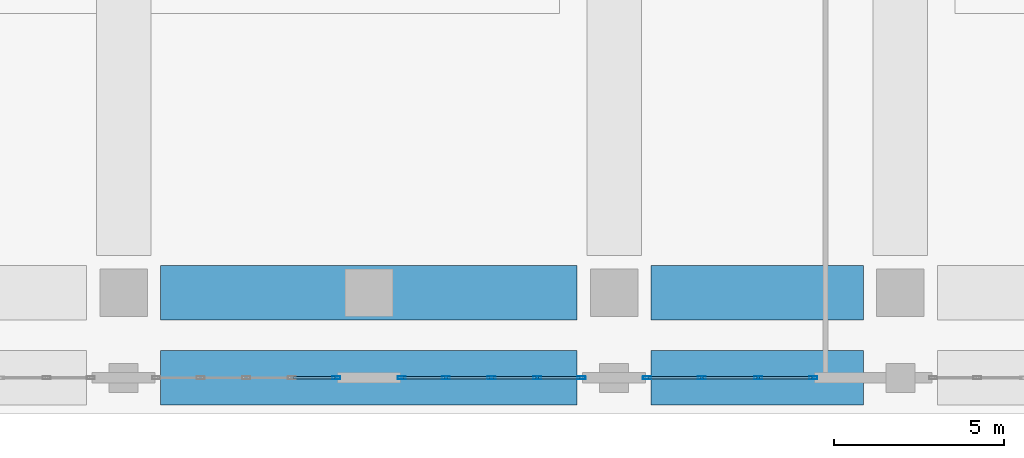
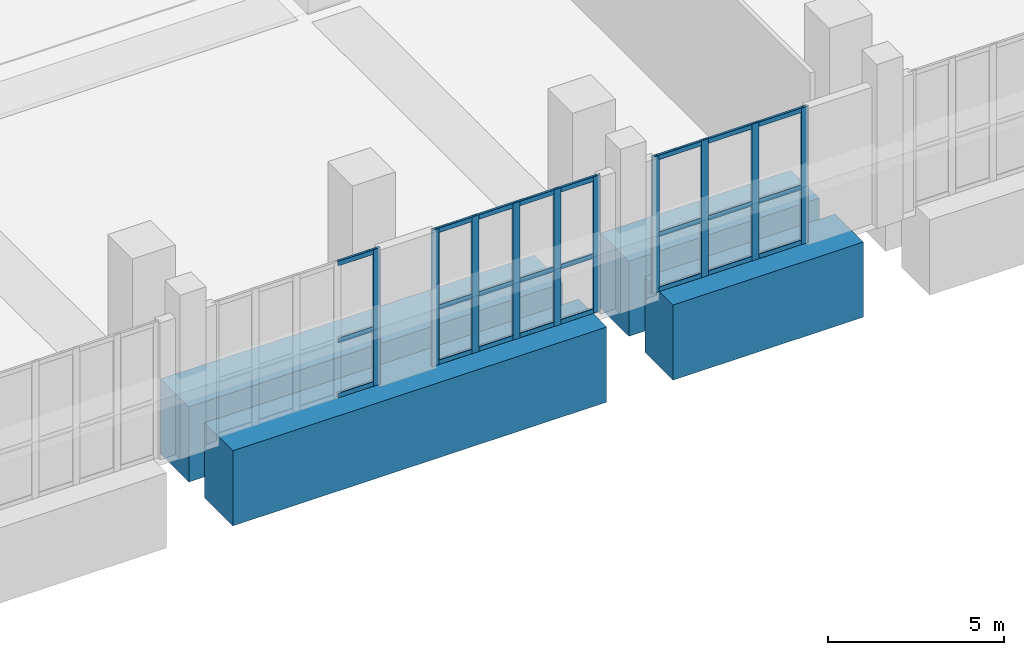
# One storey, part 7 of 25: 34 members, 4 beams, 3 elements without a shape of their own.
"""IFC4 building model written with IfcOpenShell, lengths in metres."""

from ifc_helpers import new_model, si_unit, direction, frame, origin, origin_2d, place, context, subcontext, project, spatial, rectangle, hollow_rectangle, extrude, material, layer, layer_set, material_profile, profile_set, type_object, element, aggregate, save


model = new_model("IFC4")

# Units and contexts
model_context = context("Model", 3, precision=1e-05, world=origin(), true_north=direction((0.0, 1.0)))
body_context = subcontext(model_context, "Body", "Model", "MODEL_VIEW")
ifc_project = project(units=[si_unit("LENGTHUNIT", "METRE"), si_unit("AREAUNIT", "SQUARE_METRE"), si_unit("VOLUMEUNIT", "CUBIC_METRE"), si_unit("PLANEANGLEUNIT", "RADIAN"), si_unit("MASSUNIT", "GRAM", prefix="KILO")], contexts=[model_context])

# Site, building, storey
site_placement = place(None, origin())
site = spatial("IfcSite", under=ifc_project, at=site_placement, CompositionType="ELEMENT")
building_placement = place(site_placement, origin())
building = spatial("IfcBuilding", under=site, at=building_placement, Name="Kaelvorn Grand Hotel", CompositionType="ELEMENT")
storey_placement = place(building_placement, frame((0.0, 0.0, 8.0)))
storey = spatial("IfcBuildingStorey", under=building, at=storey_placement, Name="L01", CompositionType="ELEMENT", Elevation=8.0)

# Beams
ifc_material_1 = material(Name="Concrete C80/95", Category="concrete")
ifc_material_profile_1 = material_profile(ifc_material_1, rectangle(XDim=1.60009765625, YDim=2.60009765625, at=origin_2d()), Name="RC TG 1600x2600")
ifc_profile_set_1 = profile_set([ifc_material_profile_1], Name="Concrete C80/95")
beam_type = type_object("IfcBeamType", Name="BM-TG-1600x2600-C80", PredefinedType="USERDEFINED", material=ifc_profile_set_1)
beam_1_placement = place(storey_placement, frame((24.485107421875, -2.5, -1.300048828125), z_axis=(1.0, 0.0, 0.0), x_axis=(0.0, 1.0, 0.0)))
element("IfcBeam", 1, at=beam_1_placement, inside=storey, type_object=beam_type, Name="L01 Pilotis Transfer Girder TGX-S2 02", ObjectType="TRANSFER GIRDER", PredefinedType="USERDEFINED", context=body_context, shape_type="SweptSolid", body=[
    extrude(rectangle(XDim=1.60009765625, YDim=2.60009765625, at=origin_2d()), origin(), (0.0, 0.0, 1.0), 12.22998046875),
])
beam_2_placement = place(storey_placement, frame((38.885009765625, -2.5, -1.300048828125), z_axis=(1.0, 0.0, 0.0), x_axis=(0.0, 1.0, 0.0)))
element("IfcBeam", 2, at=beam_2_placement, inside=storey, type_object=beam_type, Name="L01 Pilotis Transfer Girder TGX-S2 03", ObjectType="TRANSFER GIRDER", PredefinedType="USERDEFINED", context=body_context, shape_type="SweptSolid", body=[
    extrude(rectangle(XDim=1.60009765625, YDim=2.60009765625, at=origin_2d()), origin(), (0.0, 0.0, 1.0), 6.22998046875),
])
beam_3_placement = place(storey_placement, frame((24.485107421875, 0.0, -1.300048828125), z_axis=(1.0, 0.0, 0.0), x_axis=(0.0, 1.0, 0.0)))
element("IfcBeam", 3, at=beam_3_placement, inside=storey, type_object=beam_type, Name="L01 Pilotis Transfer Girder TGX-S0 03", ObjectType="TRANSFER GIRDER", PredefinedType="USERDEFINED", context=body_context, shape_type="SweptSolid", body=[
    extrude(rectangle(XDim=1.60009765625, YDim=2.60009765625, at=origin_2d()), origin(), (0.0, 0.0, 1.0), 12.22998046875),
])
beam_4_placement = place(storey_placement, frame((38.885009765625, 0.0, -1.300048828125), z_axis=(1.0, 0.0, 0.0), x_axis=(0.0, 1.0, 0.0)))
element("IfcBeam", 4, at=beam_4_placement, inside=storey, type_object=beam_type, Name="L01 Pilotis Transfer Girder TGX-S0 04", ObjectType="TRANSFER GIRDER", PredefinedType="USERDEFINED", context=body_context, shape_type="SweptSolid", body=[
    extrude(rectangle(XDim=1.60009765625, YDim=2.60009765625, at=origin_2d()), origin(), (0.0, 0.0, 1.0), 6.22998046875),
])

# Curtain wall, member
ifc_material_2 = material(Name="Anodised Aluminium", Category="aluminium")
ifc_layer = layer(ifc_material_2, 0.239990234375)
ifc_layer_set = layer_set([ifc_layer], Name="Anodised Aluminium")
curtain_wall_type = type_object("IfcCurtainWallType", Name="CW-SYS1", PredefinedType="NOTDEFINED", material=ifc_layer_set)
curtain_wall_1_placement = place(storey_placement, origin())
curtain_wall_1 = element("IfcCurtainWall", 5, at=curtain_wall_1_placement, inside=storey, type_object=curtain_wall_type, Name="L01 Unitised Curtain Wall CW1 (CW-L01-S-03)", PredefinedType="NOTDEFINED")
ifc_material_profile_2 = material_profile(ifc_material_2, hollow_rectangle(XDim=0.080078125, YDim=0.239990234375, WallThickness=0.0048828125, InnerFilletRadius=0.0048828125, OuterFilletRadius=0.010009765625, at=origin_2d()), Name="ALU MULL 80x240")
ifc_profile_set_2 = profile_set([ifc_material_profile_2], Name="Anodised Aluminium")
member_type_1 = type_object("IfcMemberType", Name="CW-SYS1-MULL", PredefinedType="MULLION", material=ifc_profile_set_2)
member_1_placement = place(storey_placement, frame((29.639892578125, -2.5, 0.0), z_axis=(0.0, 0.0, 1.0), x_axis=(0.0, 1.0, 0.0)))
member_1 = element("IfcMember", 6, at=member_1_placement, type_object=member_type_1, Name="CW1 mullion 5", PredefinedType="MULLION", context=body_context, shape_type="SweptSolid", body=[
    extrude(hollow_rectangle(XDim=0.080078125, YDim=0.239990234375, WallThickness=0.0048828125, InnerFilletRadius=0.0048828125, OuterFilletRadius=0.010009765625, at=origin_2d()), origin(), (0.0, 0.0, 1.0), 4.72998046875),
])

# Curtain wall, members
curtain_wall_2_placement = place(storey_placement, origin())
curtain_wall_2 = element("IfcCurtainWall", 7, at=curtain_wall_2_placement, inside=storey, type_object=curtain_wall_type, Name="L01 Unitised Curtain Wall CW1 (CW-L01-S-04)", PredefinedType="NOTDEFINED")
member_2_placement = place(storey_placement, frame((31.56005859375, -2.5, 0.0), z_axis=(0.0, 0.0, 1.0), x_axis=(0.0, 1.0, 0.0)))
member_2 = element("IfcMember", 8, at=member_2_placement, type_object=member_type_1, Name="CW1 mullion 1", PredefinedType="MULLION", context=body_context, shape_type="SweptSolid", body=[
    extrude(hollow_rectangle(XDim=0.080078125, YDim=0.239990234375, WallThickness=0.0048828125, InnerFilletRadius=0.0048828125, OuterFilletRadius=0.010009765625, at=origin_2d()), origin(), (0.0, 0.0, 1.0), 4.72998046875),
])
member_3_placement = place(storey_placement, frame((32.860107421875, -2.5, 0.0), z_axis=(0.0, 0.0, 1.0), x_axis=(0.0, 1.0, 0.0)))
member_3 = element("IfcMember", 9, at=member_3_placement, type_object=member_type_1, Name="CW1 mullion 2", PredefinedType="MULLION", context=body_context, shape_type="SweptSolid", body=[
    extrude(hollow_rectangle(XDim=0.080078125, YDim=0.239990234375, WallThickness=0.0048828125, InnerFilletRadius=0.0048828125, OuterFilletRadius=0.010009765625, at=origin_2d()), origin(), (0.0, 0.0, 1.0), 4.72998046875),
])
member_4_placement = place(storey_placement, frame((34.199951171875, -2.5, 0.0), z_axis=(0.0, 0.0, 1.0), x_axis=(0.0, 1.0, 0.0)))
member_4 = element("IfcMember", 10, at=member_4_placement, type_object=member_type_1, Name="CW1 mullion 3", PredefinedType="MULLION", context=body_context, shape_type="SweptSolid", body=[
    extrude(hollow_rectangle(XDim=0.080078125, YDim=0.239990234375, WallThickness=0.0048828125, InnerFilletRadius=0.0048828125, OuterFilletRadius=0.010009765625, at=origin_2d()), origin(), (0.0, 0.0, 1.0), 4.72998046875),
])
member_5_placement = place(storey_placement, frame((35.5400390625, -2.5, 0.0), z_axis=(0.0, 0.0, 1.0), x_axis=(0.0, 1.0, 0.0)))
member_5 = element("IfcMember", 11, at=member_5_placement, type_object=member_type_1, Name="CW1 mullion 4", PredefinedType="MULLION", context=body_context, shape_type="SweptSolid", body=[
    extrude(hollow_rectangle(XDim=0.080078125, YDim=0.239990234375, WallThickness=0.0048828125, InnerFilletRadius=0.0048828125, OuterFilletRadius=0.010009765625, at=origin_2d()), origin(), (0.0, 0.0, 1.0), 4.72998046875),
])
member_6_placement = place(storey_placement, frame((36.840087890625, -2.5, 0.0), z_axis=(0.0, 0.0, 1.0), x_axis=(0.0, 1.0, 0.0)))
member_6 = element("IfcMember", 12, at=member_6_placement, type_object=member_type_1, Name="CW1 mullion 5", PredefinedType="MULLION", context=body_context, shape_type="SweptSolid", body=[
    extrude(hollow_rectangle(XDim=0.080078125, YDim=0.239990234375, WallThickness=0.0048828125, InnerFilletRadius=0.0048828125, OuterFilletRadius=0.010009765625, at=origin_2d()), origin(), (0.0, 0.0, 1.0), 4.72998046875),
])

curtain_wall_3_placement = place(storey_placement, origin())
curtain_wall_3 = element("IfcCurtainWall", 13, at=curtain_wall_3_placement, inside=storey, type_object=curtain_wall_type, Name="L01 Unitised Curtain Wall CW1 (CW-L01-S-05)", PredefinedType="NOTDEFINED")
member_7_placement = place(storey_placement, frame((38.760009765625, -2.5, 0.0), z_axis=(0.0, 0.0, 1.0), x_axis=(0.0, 1.0, 0.0)))
member_7 = element("IfcMember", 14, at=member_7_placement, type_object=member_type_1, Name="CW1 mullion 1", PredefinedType="MULLION", context=body_context, shape_type="SweptSolid", body=[
    extrude(hollow_rectangle(XDim=0.080078125, YDim=0.239990234375, WallThickness=0.0048828125, InnerFilletRadius=0.0048828125, OuterFilletRadius=0.010009765625, at=origin_2d()), origin(), (0.0, 0.0, 1.0), 4.72998046875),
])
member_8_placement = place(storey_placement, frame((40.373291015625, -2.5, 0.0), z_axis=(0.0, 0.0, 1.0), x_axis=(0.0, 1.0, 0.0)))
member_8 = element("IfcMember", 15, at=member_8_placement, type_object=member_type_1, Name="CW1 mullion 2", PredefinedType="MULLION", context=body_context, shape_type="SweptSolid", body=[
    extrude(hollow_rectangle(XDim=0.080078125, YDim=0.239990234375, WallThickness=0.0048828125, InnerFilletRadius=0.0048828125, OuterFilletRadius=0.010009765625, at=origin_2d()), origin(), (0.0, 0.0, 1.0), 4.72998046875),
])
member_9_placement = place(storey_placement, frame((42.026611328125, -2.5, 0.0), z_axis=(0.0, 0.0, 1.0), x_axis=(0.0, 1.0, 0.0)))
member_9 = element("IfcMember", 16, at=member_9_placement, type_object=member_type_1, Name="CW1 mullion 3", PredefinedType="MULLION", context=body_context, shape_type="SweptSolid", body=[
    extrude(hollow_rectangle(XDim=0.080078125, YDim=0.239990234375, WallThickness=0.0048828125, InnerFilletRadius=0.0048828125, OuterFilletRadius=0.010009765625, at=origin_2d()), origin(), (0.0, 0.0, 1.0), 4.72998046875),
])
member_10_placement = place(storey_placement, frame((43.639892578125, -2.5, 0.0), z_axis=(0.0, 0.0, 1.0), x_axis=(0.0, 1.0, 0.0)))
member_10 = element("IfcMember", 17, at=member_10_placement, type_object=member_type_1, Name="CW1 mullion 4", PredefinedType="MULLION", context=body_context, shape_type="SweptSolid", body=[
    extrude(hollow_rectangle(XDim=0.080078125, YDim=0.239990234375, WallThickness=0.0048828125, InnerFilletRadius=0.0048828125, OuterFilletRadius=0.010009765625, at=origin_2d()), origin(), (0.0, 0.0, 1.0), 4.72998046875),
])

# Member
ifc_material_profile_3 = material_profile(ifc_material_2, hollow_rectangle(XDim=0.080078125, YDim=0.1650390625, WallThickness=0.00439453125, InnerFilletRadius=0.00439453125, OuterFilletRadius=0.009033203125, at=origin_2d()), Name="ALU TRAN 80x165")
ifc_profile_set_3 = profile_set([ifc_material_profile_3], Name="Anodised Aluminium")
member_type_2 = type_object("IfcMemberType", Name="CW-SYS1-TRAN", PredefinedType="NOTDEFINED", material=ifc_profile_set_3)
member_11_placement = place(storey_placement, frame((28.3798828125, -2.5, 0.08251953125), z_axis=(1.0, 0.0, 0.0), x_axis=(0.0, 1.0, 0.0)))
member_11 = element("IfcMember", 18, at=member_11_placement, type_object=member_type_2, Name="CW1 transom 4.1", ObjectType="TRANSOM", PredefinedType="USERDEFINED", context=body_context, shape_type="SweptSolid", body=[
    extrude(hollow_rectangle(XDim=0.080078125, YDim=0.1650390625, WallThickness=0.00439453125, InnerFilletRadius=0.00439453125, OuterFilletRadius=0.009033203125, at=origin_2d()), origin(), (0.0, 0.0, 1.0), 1.22021484375),
])

member_12_placement = place(storey_placement, frame((28.3798828125, -2.5, 1.986572265625), z_axis=(1.0, 0.0, 0.0), x_axis=(0.0, 1.0, 0.0)))
member_12 = element("IfcMember", 19, at=member_12_placement, type_object=member_type_2, Name="CW1 transom 4.2", ObjectType="TRANSOM", PredefinedType="USERDEFINED", context=body_context, shape_type="SweptSolid", body=[
    extrude(hollow_rectangle(XDim=0.080078125, YDim=0.1650390625, WallThickness=0.00439453125, InnerFilletRadius=0.00439453125, OuterFilletRadius=0.009033203125, at=origin_2d()), origin(), (0.0, 0.0, 1.0), 1.22021484375),
])

member_13_placement = place(storey_placement, frame((28.3798828125, -2.5, 4.6474609375), z_axis=(1.0, 0.0, 0.0), x_axis=(0.0, 1.0, 0.0)))
member_13 = element("IfcMember", 20, at=member_13_placement, type_object=member_type_2, Name="CW1 transom 4.3", ObjectType="TRANSOM", PredefinedType="USERDEFINED", context=body_context, shape_type="SweptSolid", body=[
    extrude(hollow_rectangle(XDim=0.080078125, YDim=0.1650390625, WallThickness=0.00439453125, InnerFilletRadius=0.00439453125, OuterFilletRadius=0.009033203125, at=origin_2d()), origin(), (0.0, 0.0, 1.0), 1.22021484375),
])

aggregate(curtain_wall_1, [member_1, member_11, member_12, member_13])

member_14_placement = place(storey_placement, frame((31.60009765625, -2.5, 0.08251953125), z_axis=(1.0, 0.0, 0.0), x_axis=(0.0, 1.0, 0.0)))
member_14 = element("IfcMember", 21, at=member_14_placement, type_object=member_type_2, Name="CW1 transom 1.1", ObjectType="TRANSOM", PredefinedType="USERDEFINED", context=body_context, shape_type="SweptSolid", body=[
    extrude(hollow_rectangle(XDim=0.080078125, YDim=0.1650390625, WallThickness=0.00439453125, InnerFilletRadius=0.00439453125, OuterFilletRadius=0.009033203125, at=origin_2d()), origin(), (0.0, 0.0, 1.0), 1.219970703125),
])

member_15_placement = place(storey_placement, frame((31.60009765625, -2.5, 1.986572265625), z_axis=(1.0, 0.0, 0.0), x_axis=(0.0, 1.0, 0.0)))
member_15 = element("IfcMember", 22, at=member_15_placement, type_object=member_type_2, Name="CW1 transom 1.2", ObjectType="TRANSOM", PredefinedType="USERDEFINED", context=body_context, shape_type="SweptSolid", body=[
    extrude(hollow_rectangle(XDim=0.080078125, YDim=0.1650390625, WallThickness=0.00439453125, InnerFilletRadius=0.00439453125, OuterFilletRadius=0.009033203125, at=origin_2d()), origin(), (0.0, 0.0, 1.0), 1.219970703125),
])

member_16_placement = place(storey_placement, frame((31.60009765625, -2.5, 4.6474609375), z_axis=(1.0, 0.0, 0.0), x_axis=(0.0, 1.0, 0.0)))
member_16 = element("IfcMember", 23, at=member_16_placement, type_object=member_type_2, Name="CW1 transom 1.3", ObjectType="TRANSOM", PredefinedType="USERDEFINED", context=body_context, shape_type="SweptSolid", body=[
    extrude(hollow_rectangle(XDim=0.080078125, YDim=0.1650390625, WallThickness=0.00439453125, InnerFilletRadius=0.00439453125, OuterFilletRadius=0.009033203125, at=origin_2d()), origin(), (0.0, 0.0, 1.0), 1.219970703125),
])

member_17_placement = place(storey_placement, frame((32.89990234375, -2.5, 0.08251953125), z_axis=(1.0, 0.0, 0.0), x_axis=(0.0, 1.0, 0.0)))
member_17 = element("IfcMember", 24, at=member_17_placement, type_object=member_type_2, Name="CW1 transom 2.1", ObjectType="TRANSOM", PredefinedType="USERDEFINED", context=body_context, shape_type="SweptSolid", body=[
    extrude(hollow_rectangle(XDim=0.080078125, YDim=0.1650390625, WallThickness=0.00439453125, InnerFilletRadius=0.00439453125, OuterFilletRadius=0.009033203125, at=origin_2d()), origin(), (0.0, 0.0, 1.0), 1.260009765625),
])

member_18_placement = place(storey_placement, frame((32.89990234375, -2.5, 1.986572265625), z_axis=(1.0, 0.0, 0.0), x_axis=(0.0, 1.0, 0.0)))
member_18 = element("IfcMember", 25, at=member_18_placement, type_object=member_type_2, Name="CW1 transom 2.2", ObjectType="TRANSOM", PredefinedType="USERDEFINED", context=body_context, shape_type="SweptSolid", body=[
    extrude(hollow_rectangle(XDim=0.080078125, YDim=0.1650390625, WallThickness=0.00439453125, InnerFilletRadius=0.00439453125, OuterFilletRadius=0.009033203125, at=origin_2d()), origin(), (0.0, 0.0, 1.0), 1.260009765625),
])

member_19_placement = place(storey_placement, frame((32.89990234375, -2.5, 4.6474609375), z_axis=(1.0, 0.0, 0.0), x_axis=(0.0, 1.0, 0.0)))
member_19 = element("IfcMember", 26, at=member_19_placement, type_object=member_type_2, Name="CW1 transom 2.3", ObjectType="TRANSOM", PredefinedType="USERDEFINED", context=body_context, shape_type="SweptSolid", body=[
    extrude(hollow_rectangle(XDim=0.080078125, YDim=0.1650390625, WallThickness=0.00439453125, InnerFilletRadius=0.00439453125, OuterFilletRadius=0.009033203125, at=origin_2d()), origin(), (0.0, 0.0, 1.0), 1.260009765625),
])

member_20_placement = place(storey_placement, frame((34.239990234375, -2.5, 0.08251953125), z_axis=(1.0, 0.0, 0.0), x_axis=(0.0, 1.0, 0.0)))
member_20 = element("IfcMember", 27, at=member_20_placement, type_object=member_type_2, Name="CW1 transom 3.1", ObjectType="TRANSOM", PredefinedType="USERDEFINED", context=body_context, shape_type="SweptSolid", body=[
    extrude(hollow_rectangle(XDim=0.080078125, YDim=0.1650390625, WallThickness=0.00439453125, InnerFilletRadius=0.00439453125, OuterFilletRadius=0.009033203125, at=origin_2d()), origin(), (0.0, 0.0, 1.0), 1.260009765625),
])

member_21_placement = place(storey_placement, frame((34.239990234375, -2.5, 1.986572265625), z_axis=(1.0, 0.0, 0.0), x_axis=(0.0, 1.0, 0.0)))
member_21 = element("IfcMember", 28, at=member_21_placement, type_object=member_type_2, Name="CW1 transom 3.2", ObjectType="TRANSOM", PredefinedType="USERDEFINED", context=body_context, shape_type="SweptSolid", body=[
    extrude(hollow_rectangle(XDim=0.080078125, YDim=0.1650390625, WallThickness=0.00439453125, InnerFilletRadius=0.00439453125, OuterFilletRadius=0.009033203125, at=origin_2d()), origin(), (0.0, 0.0, 1.0), 1.260009765625),
])

member_22_placement = place(storey_placement, frame((34.239990234375, -2.5, 4.6474609375), z_axis=(1.0, 0.0, 0.0), x_axis=(0.0, 1.0, 0.0)))
member_22 = element("IfcMember", 29, at=member_22_placement, type_object=member_type_2, Name="CW1 transom 3.3", ObjectType="TRANSOM", PredefinedType="USERDEFINED", context=body_context, shape_type="SweptSolid", body=[
    extrude(hollow_rectangle(XDim=0.080078125, YDim=0.1650390625, WallThickness=0.00439453125, InnerFilletRadius=0.00439453125, OuterFilletRadius=0.009033203125, at=origin_2d()), origin(), (0.0, 0.0, 1.0), 1.260009765625),
])

member_23_placement = place(storey_placement, frame((35.580078125, -2.5, 0.08251953125), z_axis=(1.0, 0.0, 0.0), x_axis=(0.0, 1.0, 0.0)))
member_23 = element("IfcMember", 30, at=member_23_placement, type_object=member_type_2, Name="CW1 transom 4.1", ObjectType="TRANSOM", PredefinedType="USERDEFINED", context=body_context, shape_type="SweptSolid", body=[
    extrude(hollow_rectangle(XDim=0.080078125, YDim=0.1650390625, WallThickness=0.00439453125, InnerFilletRadius=0.00439453125, OuterFilletRadius=0.009033203125, at=origin_2d()), origin(), (0.0, 0.0, 1.0), 1.219970703125),
])

member_24_placement = place(storey_placement, frame((35.580078125, -2.5, 1.986572265625), z_axis=(1.0, 0.0, 0.0), x_axis=(0.0, 1.0, 0.0)))
member_24 = element("IfcMember", 31, at=member_24_placement, type_object=member_type_2, Name="CW1 transom 4.2", ObjectType="TRANSOM", PredefinedType="USERDEFINED", context=body_context, shape_type="SweptSolid", body=[
    extrude(hollow_rectangle(XDim=0.080078125, YDim=0.1650390625, WallThickness=0.00439453125, InnerFilletRadius=0.00439453125, OuterFilletRadius=0.009033203125, at=origin_2d()), origin(), (0.0, 0.0, 1.0), 1.219970703125),
])

member_25_placement = place(storey_placement, frame((35.580078125, -2.5, 4.6474609375), z_axis=(1.0, 0.0, 0.0), x_axis=(0.0, 1.0, 0.0)))
member_25 = element("IfcMember", 32, at=member_25_placement, type_object=member_type_2, Name="CW1 transom 4.3", ObjectType="TRANSOM", PredefinedType="USERDEFINED", context=body_context, shape_type="SweptSolid", body=[
    extrude(hollow_rectangle(XDim=0.080078125, YDim=0.1650390625, WallThickness=0.00439453125, InnerFilletRadius=0.00439453125, OuterFilletRadius=0.009033203125, at=origin_2d()), origin(), (0.0, 0.0, 1.0), 1.219970703125),
])

aggregate(curtain_wall_2, [member_2, member_3, member_4, member_5, member_6, member_14, member_15, member_16, member_17, member_18, member_19, member_20, member_21, member_22, member_23, member_24, member_25])

member_26_placement = place(storey_placement, frame((38.800048828125, -2.5, 0.08251953125), z_axis=(1.0, 0.0, 0.0), x_axis=(0.0, 1.0, 0.0)))
member_26 = element("IfcMember", 33, at=member_26_placement, type_object=member_type_2, Name="CW1 transom 1.1", ObjectType="TRANSOM", PredefinedType="USERDEFINED", context=body_context, shape_type="SweptSolid", body=[
    extrude(hollow_rectangle(XDim=0.080078125, YDim=0.1650390625, WallThickness=0.00439453125, InnerFilletRadius=0.00439453125, OuterFilletRadius=0.009033203125, at=origin_2d()), origin(), (0.0, 0.0, 1.0), 1.533203125),
])

member_27_placement = place(storey_placement, frame((38.800048828125, -2.5, 1.986572265625), z_axis=(1.0, 0.0, 0.0), x_axis=(0.0, 1.0, 0.0)))
member_27 = element("IfcMember", 34, at=member_27_placement, type_object=member_type_2, Name="CW1 transom 1.2", ObjectType="TRANSOM", PredefinedType="USERDEFINED", context=body_context, shape_type="SweptSolid", body=[
    extrude(hollow_rectangle(XDim=0.080078125, YDim=0.1650390625, WallThickness=0.00439453125, InnerFilletRadius=0.00439453125, OuterFilletRadius=0.009033203125, at=origin_2d()), origin(), (0.0, 0.0, 1.0), 1.533203125),
])

member_28_placement = place(storey_placement, frame((38.800048828125, -2.5, 4.6474609375), z_axis=(1.0, 0.0, 0.0), x_axis=(0.0, 1.0, 0.0)))
member_28 = element("IfcMember", 35, at=member_28_placement, type_object=member_type_2, Name="CW1 transom 1.3", ObjectType="TRANSOM", PredefinedType="USERDEFINED", context=body_context, shape_type="SweptSolid", body=[
    extrude(hollow_rectangle(XDim=0.080078125, YDim=0.1650390625, WallThickness=0.00439453125, InnerFilletRadius=0.00439453125, OuterFilletRadius=0.009033203125, at=origin_2d()), origin(), (0.0, 0.0, 1.0), 1.533203125),
])

member_29_placement = place(storey_placement, frame((40.413330078125, -2.5, 0.08251953125), z_axis=(1.0, 0.0, 0.0), x_axis=(0.0, 1.0, 0.0)))
member_29 = element("IfcMember", 36, at=member_29_placement, type_object=member_type_2, Name="CW1 transom 2.1", ObjectType="TRANSOM", PredefinedType="USERDEFINED", context=body_context, shape_type="SweptSolid", body=[
    extrude(hollow_rectangle(XDim=0.080078125, YDim=0.1650390625, WallThickness=0.00439453125, InnerFilletRadius=0.00439453125, OuterFilletRadius=0.009033203125, at=origin_2d()), origin(), (0.0, 0.0, 1.0), 1.5732421875),
])

member_30_placement = place(storey_placement, frame((40.413330078125, -2.5, 1.986572265625), z_axis=(1.0, 0.0, 0.0), x_axis=(0.0, 1.0, 0.0)))
member_30 = element("IfcMember", 37, at=member_30_placement, type_object=member_type_2, Name="CW1 transom 2.2", ObjectType="TRANSOM", PredefinedType="USERDEFINED", context=body_context, shape_type="SweptSolid", body=[
    extrude(hollow_rectangle(XDim=0.080078125, YDim=0.1650390625, WallThickness=0.00439453125, InnerFilletRadius=0.00439453125, OuterFilletRadius=0.009033203125, at=origin_2d()), origin(), (0.0, 0.0, 1.0), 1.5732421875),
])

member_31_placement = place(storey_placement, frame((40.413330078125, -2.5, 4.6474609375), z_axis=(1.0, 0.0, 0.0), x_axis=(0.0, 1.0, 0.0)))
member_31 = element("IfcMember", 38, at=member_31_placement, type_object=member_type_2, Name="CW1 transom 2.3", ObjectType="TRANSOM", PredefinedType="USERDEFINED", context=body_context, shape_type="SweptSolid", body=[
    extrude(hollow_rectangle(XDim=0.080078125, YDim=0.1650390625, WallThickness=0.00439453125, InnerFilletRadius=0.00439453125, OuterFilletRadius=0.009033203125, at=origin_2d()), origin(), (0.0, 0.0, 1.0), 1.5732421875),
])

member_32_placement = place(storey_placement, frame((42.066650390625, -2.5, 0.08251953125), z_axis=(1.0, 0.0, 0.0), x_axis=(0.0, 1.0, 0.0)))
member_32 = element("IfcMember", 39, at=member_32_placement, type_object=member_type_2, Name="CW1 transom 3.1", ObjectType="TRANSOM", PredefinedType="USERDEFINED", context=body_context, shape_type="SweptSolid", body=[
    extrude(hollow_rectangle(XDim=0.080078125, YDim=0.1650390625, WallThickness=0.00439453125, InnerFilletRadius=0.00439453125, OuterFilletRadius=0.009033203125, at=origin_2d()), origin(), (0.0, 0.0, 1.0), 1.533447265625),
])

member_33_placement = place(storey_placement, frame((42.066650390625, -2.5, 1.986572265625), z_axis=(1.0, 0.0, 0.0), x_axis=(0.0, 1.0, 0.0)))
member_33 = element("IfcMember", 40, at=member_33_placement, type_object=member_type_2, Name="CW1 transom 3.2", ObjectType="TRANSOM", PredefinedType="USERDEFINED", context=body_context, shape_type="SweptSolid", body=[
    extrude(hollow_rectangle(XDim=0.080078125, YDim=0.1650390625, WallThickness=0.00439453125, InnerFilletRadius=0.00439453125, OuterFilletRadius=0.009033203125, at=origin_2d()), origin(), (0.0, 0.0, 1.0), 1.533447265625),
])

member_34_placement = place(storey_placement, frame((42.066650390625, -2.5, 4.6474609375), z_axis=(1.0, 0.0, 0.0), x_axis=(0.0, 1.0, 0.0)))
member_34 = element("IfcMember", 41, at=member_34_placement, type_object=member_type_2, Name="CW1 transom 3.3", ObjectType="TRANSOM", PredefinedType="USERDEFINED", context=body_context, shape_type="SweptSolid", body=[
    extrude(hollow_rectangle(XDim=0.080078125, YDim=0.1650390625, WallThickness=0.00439453125, InnerFilletRadius=0.00439453125, OuterFilletRadius=0.009033203125, at=origin_2d()), origin(), (0.0, 0.0, 1.0), 1.533447265625),
])

aggregate(curtain_wall_3, [member_7, member_8, member_9, member_10, member_26, member_27, member_28, member_29, member_30, member_31, member_32, member_33, member_34])

save(model, "model.ifc")
